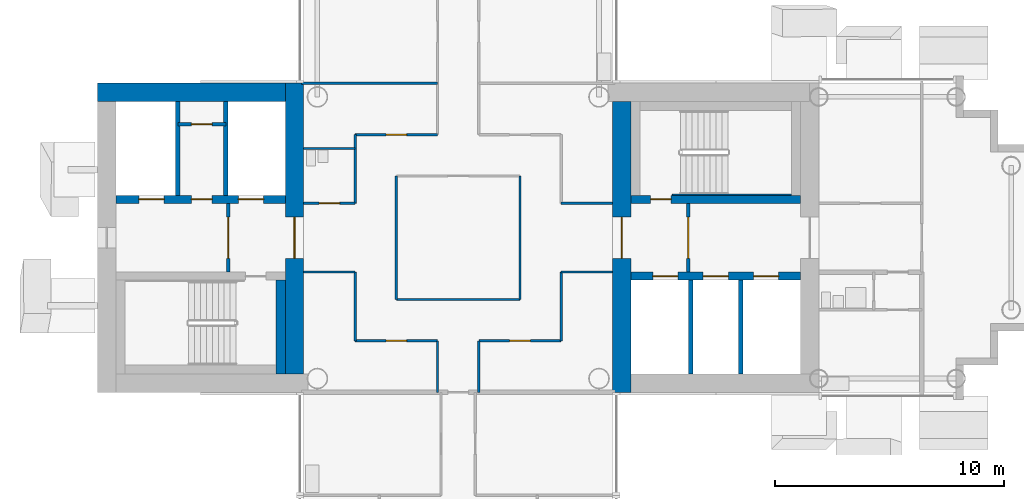
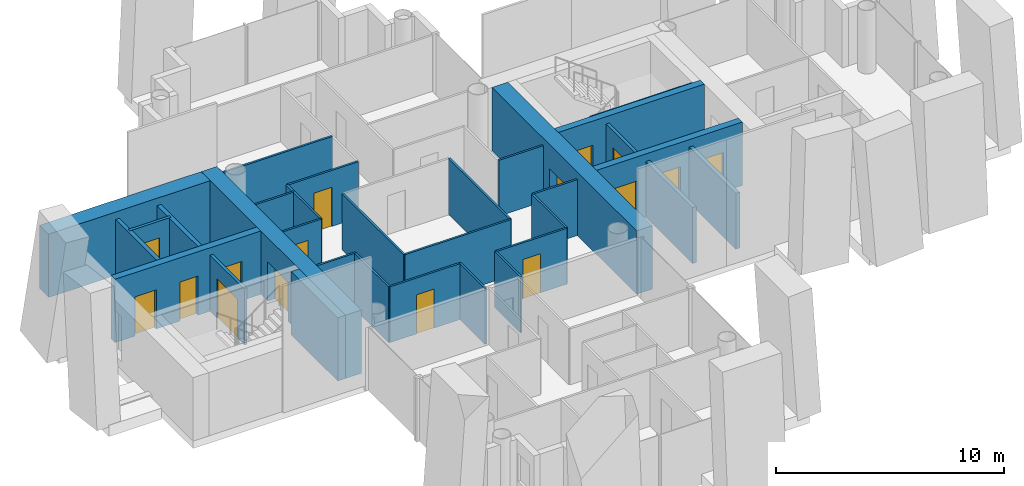
# One storey, part 7 of 19: 32 walls, 16 doors, 16 openings.
"""IFC4 building model written with IfcOpenShell, lengths in metres."""

from ifc_helpers import new_model, si_unit, direction, frame, frame_2d, origin, place, context, subcontext, project, spatial, rectangle, extrude, material, layer, layer_set, type_object, element, fill, save


model = new_model("IFC4")

# Units and contexts
model_context = context("Model", 3, precision=1e-05, world=origin(), true_north=direction((0.0, 1.0)))
body_context = subcontext(model_context, "Body", "Model", "MODEL_VIEW")
ifc_project = project(units=[si_unit("LENGTHUNIT", "METRE"), si_unit("AREAUNIT", "SQUARE_METRE"), si_unit("VOLUMEUNIT", "CUBIC_METRE"), si_unit("PLANEANGLEUNIT", "RADIAN"), si_unit("MASSUNIT", "GRAM", prefix="KILO")], contexts=[model_context])

# Site, building, storey
site_placement = place(None, origin())
site = spatial("IfcSite", under=ifc_project, at=site_placement, CompositionType="ELEMENT")
building_placement = place(site_placement, origin())
building = spatial("IfcBuilding", under=site, at=building_placement, Name="Ipe Terrace Towers", CompositionType="ELEMENT")
storey_placement = place(building_placement, frame((0.0, 0.0, 137.10009765625)))
storey = spatial("IfcBuildingStorey", under=building, at=storey_placement, Name="L37", CompositionType="ELEMENT", Elevation=137.10009765625)

# Walls
ifc_material_1 = material(Name="Gypsum board partition", Category="plasterboard")
ifc_layer_1 = layer(ifc_material_1, 0.10009765625)
ifc_layer_set_1 = layer_set([ifc_layer_1], Name="Gypsum board partition 100 mm")
wall_type_1 = type_object("IfcWallType", Name="Gypsum board partition 100 mm", PredefinedType="PARTITIONING", material=ifc_layer_set_1)
for number, where, z_axis, x_axis, name in (
    (1, (-40.5, -4.5, 0.0), (0.0, 0.0, 1.0), (0.0, 1.0, 0.0), "Gypsum board partition T1 L37 W01"),
    (2, (-40.5, 1.5, 0.0), (0.0, 0.0, 1.0), (0.0, 1.0, 0.0), "Gypsum board partition T1 L37 W02"),
):
    element("IfcWall", number, at=place(storey_placement, frame(where, z_axis=z_axis, x_axis=x_axis)), inside=storey, type_object=wall_type_1, Name=name, PredefinedType="PARTITIONING", context=body_context, shape_type="SweptSolid", body=[
        extrude(rectangle(XDim=3.0, YDim=0.10009765625, at=frame_2d((1.5, 0.0))), origin(), (0.0, 0.0, 1.0), 3.0),
    ])
wall_1_placement = place(storey_placement, frame((-38.699951171875, -2.699951171875, 0.0), z_axis=(0.0, 0.0, 1.0), x_axis=(0.0, 1.0, 0.0)))
element("IfcWall", 3, at=wall_1_placement, inside=storey, type_object=wall_type_1, Name="Gypsum board partition T1 L37 W04", PredefinedType="PARTITIONING", context=body_context, shape_type="SweptSolid", body=[
    extrude(rectangle(XDim=5.39990234375, YDim=0.10009765625, at=frame_2d((2.699951171875, 0.0))), origin(), (0.0, 0.0, 1.0), 3.0),
])
for number, where, z_axis, x_axis, name in (
    (4, (-36.89990234375, -6.75, 0.0), (0.0, 0.0, 1.0), (0.0, 1.0, 0.0), "Gypsum board partition T1 L37 W06"),
    (5, (-35.10009765625, -6.75, 0.0), (0.0, 0.0, 1.0), (0.0, 1.0, 0.0), "Gypsum board partition T1 L37 W11"),
):
    element("IfcWall", number, at=place(storey_placement, frame(where, z_axis=z_axis, x_axis=x_axis)), inside=storey, type_object=wall_type_1, Name=name, PredefinedType="PARTITIONING", context=body_context, shape_type="SweptSolid", body=[
        extrude(rectangle(XDim=2.25, YDim=0.10009765625, at=frame_2d((1.125, 0.0))), origin(), (0.0, 0.0, 1.0), 3.0),
    ])
wall_2_placement = place(storey_placement, frame((-33.300048828125, -2.699951171875, 0.0), z_axis=(0.0, 0.0, 1.0), x_axis=(0.0, 1.0, 0.0)))
element("IfcWall", 6, at=wall_2_placement, inside=storey, type_object=wall_type_1, Name="Gypsum board partition T1 L37 W14", PredefinedType="PARTITIONING", context=body_context, shape_type="SweptSolid", body=[
    extrude(rectangle(XDim=5.39990234375, YDim=0.10009765625, at=frame_2d((2.699951171875, 0.0))), origin(), (0.0, 0.0, 1.0), 3.0),
])
wall_3_placement = place(storey_placement, frame((-31.5, -4.5, 0.0), z_axis=(0.0, 0.0, 1.0), x_axis=(0.0, 1.0, 0.0)))
element("IfcWall", 7, at=wall_3_placement, inside=storey, type_object=wall_type_1, Name="Gypsum board partition T1 L37 W16", PredefinedType="PARTITIONING", context=body_context, shape_type="SweptSolid", body=[
    extrude(rectangle(XDim=3.0, YDim=0.10009765625, at=frame_2d((1.5, 0.0))), origin(), (0.0, 0.0, 1.0), 3.0),
])

# Wall, opening, door
wall_4_placement = place(storey_placement, frame((-40.5, -4.5, 0.0), z_axis=(0.0, 0.0, 1.0), x_axis=(1.0, 0.0, 0.0)))
wall_4 = element("IfcWall", 8, at=wall_4_placement, inside=storey, type_object=wall_type_1, Name="Gypsum board partition T1 L37 W27", PredefinedType="PARTITIONING", context=body_context, shape_type="SweptSolid", body=[
    extrude(rectangle(XDim=3.60009765625, YDim=0.10009765625, at=frame_2d((1.800048828125, 0.0))), origin(), (0.0, 0.0, 1.0), 3.0),
])
opening_1_placement = place(wall_4_placement, frame((1.35009765625, 0.0, 0.0)))
opening_1 = element("IfcOpeningElement", 9, at=opening_1_placement, cuts=wall_4, Name="Opening T1-Z3A-05", PredefinedType="OPENING", context=body_context, shape_type="SweptSolid", body=[
    extrude(rectangle(XDim=0.89990234375, YDim=2.10009765625, at=frame_2d((0.449951171875, 1.050048828125))), frame((0.0, 0.06005859375, 0.0), z_axis=(0.0, -1.0, 0.0), x_axis=(1.0, 0.0, 0.0)), (0.0, 0.0, 1.0), 0.1201171875),
])
ifc_material_2 = material(Name="Timber door leaf", Category="wood")
door_type_1 = type_object("IfcDoorType", Name="Lounge door 900 x 2100", OperationType="NOTDEFINED", PredefinedType="DOOR", material=ifc_material_2)
door_1_placement = place(opening_1_placement, origin())
door_1 = element("IfcDoor", 10, at=door_1_placement, inside=storey, type_object=door_type_1, Name="Lounge door T1-Z3A-05", OperationType="SINGLE_SWING_RIGHT", OverallHeight=2.10009765625, OverallWidth=0.89990234375, PredefinedType="DOOR", context=body_context, shape_type="SweptSolid", body=[
    extrude(rectangle(XDim=0.89990234375, YDim=2.10009765625, at=frame_2d((0.449951171875, 1.050048828125))), frame((0.0, 0.02490234375, 0.0), z_axis=(0.0, -1.0, 0.0), x_axis=(1.0, 0.0, 0.0)), (0.0, 0.0, 1.0), 0.050048828125),
])
fill(opening_1, door_1)

wall_5_placement = place(storey_placement, frame((-35.10009765625, -4.5, 0.0), z_axis=(0.0, 0.0, 1.0), x_axis=(1.0, 0.0, 0.0)))
wall_5 = element("IfcWall", 11, at=wall_5_placement, inside=storey, type_object=wall_type_1, Name="Gypsum board partition T1 L37 W28", PredefinedType="PARTITIONING", context=body_context, shape_type="SweptSolid", body=[
    extrude(rectangle(XDim=3.60009765625, YDim=0.10009765625, at=frame_2d((1.800048828125, 0.0))), origin(), (0.0, 0.0, 1.0), 3.0),
])
opening_2_placement = place(wall_5_placement, frame((1.35009765625, 0.0, 0.0)))
opening_2 = element("IfcOpeningElement", 12, at=opening_2_placement, cuts=wall_5, Name="Opening T1-Z3A-06", PredefinedType="OPENING", context=body_context, shape_type="SweptSolid", body=[
    extrude(rectangle(XDim=0.89990234375, YDim=2.10009765625, at=frame_2d((0.449951171875, 1.050048828125))), frame((0.0, 0.06005859375, 0.0), z_axis=(0.0, -1.0, 0.0), x_axis=(1.0, 0.0, 0.0)), (0.0, 0.0, 1.0), 0.1201171875),
])
door_2_placement = place(opening_2_placement, origin())
door_2 = element("IfcDoor", 13, at=door_2_placement, inside=storey, type_object=door_type_1, Name="Lounge door T1-Z3A-06", OperationType="SINGLE_SWING_LEFT", OverallHeight=2.10009765625, OverallWidth=0.89990234375, PredefinedType="DOOR", context=body_context, shape_type="SweptSolid", body=[
    extrude(rectangle(XDim=0.89990234375, YDim=2.10009765625, at=frame_2d((0.449951171875, 1.050048828125))), frame((0.0, 0.02490234375, 0.0), z_axis=(0.0, -1.0, 0.0), x_axis=(1.0, 0.0, 0.0)), (0.0, 0.0, 1.0), 0.050048828125),
])
fill(opening_2, door_2)

# Walls
wall_6_placement = place(storey_placement, frame((-38.699951171875, -2.699951171875, 0.0), z_axis=(0.0, 0.0, 1.0), x_axis=(1.0, 0.0, 0.0)))
element("IfcWall", 14, at=wall_6_placement, inside=storey, type_object=wall_type_1, Name="Gypsum board partition T1 L37 W30", PredefinedType="PARTITIONING", context=body_context, shape_type="SweptSolid", body=[
    extrude(rectangle(XDim=5.39990234375, YDim=0.10009765625, at=frame_2d((2.699951171875, 0.0))), origin(), (0.0, 0.0, 1.0), 3.0),
])
for number, where, z_axis, x_axis, name in (
    (15, (-42.75, -1.5, 0.0), (0.0, 0.0, 1.0), (1.0, 0.0, 0.0), "Gypsum board partition T1 L37 W31"),
    (16, (-31.5, -1.5, 0.0), (0.0, 0.0, 1.0), (1.0, 0.0, 0.0), "Gypsum board partition T1 L37 W32"),
):
    element("IfcWall", number, at=place(storey_placement, frame(where, z_axis=z_axis, x_axis=x_axis)), inside=storey, type_object=wall_type_1, Name=name, PredefinedType="PARTITIONING", context=body_context, shape_type="SweptSolid", body=[
        extrude(rectangle(XDim=2.25, YDim=0.10009765625, at=frame_2d((1.125, 0.0))), origin(), (0.0, 0.0, 1.0), 3.0),
    ])

# Wall, opening, door
wall_7_placement = place(storey_placement, frame((-42.75, 1.5, 0.0), z_axis=(0.0, 0.0, 1.0), x_axis=(1.0, 0.0, 0.0)))
wall_7 = element("IfcWall", 17, at=wall_7_placement, inside=storey, type_object=wall_type_1, Name="Gypsum board partition T1 L37 W34", PredefinedType="PARTITIONING", context=body_context, shape_type="SweptSolid", body=[
    extrude(rectangle(XDim=2.25, YDim=0.10009765625, at=frame_2d((1.125, 0.0))), origin(), (0.0, 0.0, 1.0), 3.0),
])
opening_3_placement = place(wall_7_placement, frame((0.675048828125, 0.0, 0.0)))
opening_3 = element("IfcOpeningElement", 18, at=opening_3_placement, cuts=wall_7, Name="Opening T1-Z3A-02", PredefinedType="OPENING", context=body_context, shape_type="SweptSolid", body=[
    extrude(rectangle(XDim=0.89990234375, YDim=2.10009765625, at=frame_2d((0.449951171875, 1.050048828125))), frame((0.0, 0.06005859375, 0.0), z_axis=(0.0, -1.0, 0.0), x_axis=(1.0, 0.0, 0.0)), (0.0, 0.0, 1.0), 0.1201171875),
])
ifc_material_3 = material(Name="Timber door leaf", Category="wood")
door_type_2 = type_object("IfcDoorType", Name="Bathroom door 900 x 2100", OperationType="NOTDEFINED", PredefinedType="DOOR", material=ifc_material_3)
door_3_placement = place(opening_3_placement, origin())
door_3 = element("IfcDoor", 19, at=door_3_placement, inside=storey, type_object=door_type_2, Name="Bathroom door T1-Z3A-02", OperationType="SINGLE_SWING_LEFT", OverallHeight=2.10009765625, OverallWidth=0.89990234375, PredefinedType="DOOR", context=body_context, shape_type="SweptSolid", body=[
    extrude(rectangle(XDim=0.89990234375, YDim=2.10009765625, at=frame_2d((0.449951171875, 1.050048828125))), frame((0.0, 0.02490234375, 0.0), z_axis=(0.0, -1.0, 0.0), x_axis=(1.0, 0.0, 0.0)), (0.0, 0.0, 1.0), 0.050048828125),
])
fill(opening_3, door_3)

# Walls
for number, where, z_axis, x_axis, name in (
    (20, (-31.5, 1.5, 0.0), (0.0, 0.0, 1.0), (1.0, 0.0, 0.0), "Gypsum board partition T1 L37 W35"),
    (21, (-42.75, 3.89990234375, 0.0), (0.0, 0.0, 1.0), (1.0, 0.0, 0.0), "Gypsum board partition T1 L37 W38"),
):
    element("IfcWall", number, at=place(storey_placement, frame(where, z_axis=z_axis, x_axis=x_axis)), inside=storey, type_object=wall_type_1, Name=name, PredefinedType="PARTITIONING", context=body_context, shape_type="SweptSolid", body=[
        extrude(rectangle(XDim=2.25, YDim=0.10009765625, at=frame_2d((1.125, 0.0))), origin(), (0.0, 0.0, 1.0), 3.0),
    ])

# Wall, opening, door
wall_8_placement = place(storey_placement, frame((-40.5, 4.5, 0.0), z_axis=(0.0, 0.0, 1.0), x_axis=(1.0, 0.0, 0.0)))
wall_8 = element("IfcWall", 22, at=wall_8_placement, inside=storey, type_object=wall_type_1, Name="Gypsum board partition T1 L37 W39", PredefinedType="PARTITIONING", context=body_context, shape_type="SweptSolid", body=[
    extrude(rectangle(XDim=3.60009765625, YDim=0.10009765625, at=frame_2d((1.800048828125, 0.0))), origin(), (0.0, 0.0, 1.0), 3.0),
])
opening_4_placement = place(wall_8_placement, frame((1.35009765625, 0.0, 0.0)))
opening_4 = element("IfcOpeningElement", 23, at=opening_4_placement, cuts=wall_8, Name="Opening T1-Z3A-04", PredefinedType="OPENING", context=body_context, shape_type="SweptSolid", body=[
    extrude(rectangle(XDim=0.89990234375, YDim=2.10009765625, at=frame_2d((0.449951171875, 1.050048828125))), frame((0.0, 0.06005859375, 0.0), z_axis=(0.0, -1.0, 0.0), x_axis=(1.0, 0.0, 0.0)), (0.0, 0.0, 1.0), 0.1201171875),
])
door_4_placement = place(opening_4_placement, origin())
door_4 = element("IfcDoor", 24, at=door_4_placement, inside=storey, type_object=door_type_1, Name="Lounge door T1-Z3A-04", OperationType="SINGLE_SWING_RIGHT", OverallHeight=2.10009765625, OverallWidth=0.89990234375, PredefinedType="DOOR", context=body_context, shape_type="SweptSolid", body=[
    extrude(rectangle(XDim=0.89990234375, YDim=2.10009765625, at=frame_2d((0.449951171875, 1.050048828125))), frame((0.0, 0.02490234375, 0.0), z_axis=(0.0, -1.0, 0.0), x_axis=(1.0, 0.0, 0.0)), (0.0, 0.0, 1.0), 0.050048828125),
])
fill(opening_4, door_4)

# Wall
wall_9_placement = place(storey_placement, frame((-42.85009765625, 6.75, 0.0), z_axis=(0.0, 0.0, 1.0), x_axis=(1.0, 0.0, 0.0)))
element("IfcWall", 25, at=wall_9_placement, inside=storey, type_object=wall_type_1, Name="Gypsum board partition T1 L37 W41", PredefinedType="PARTITIONING", context=body_context, shape_type="SweptSolid", body=[
    extrude(rectangle(XDim=5.9501953125, YDim=0.10009765625, at=frame_2d((2.97509765625, 0.0))), origin(), (0.0, 0.0, 1.0), 3.0),
])

# Wall, opening, door
ifc_material_4 = material(Name="Gypsum board partition", Category="plasterboard")
ifc_layer_2 = layer(ifc_material_4, 0.14990234375)
ifc_layer_set_2 = layer_set([ifc_layer_2], Name="Gypsum board partition 150 mm")
wall_type_2 = type_object("IfcWallType", Name="Gypsum board partition 150 mm", PredefinedType="PARTITIONING", material=ifc_layer_set_2)
wall_10_placement = place(storey_placement, frame((-25.949951171875, -1.5, 0.0), z_axis=(0.0, 0.0, 1.0), x_axis=(0.0, 1.0, 0.0)))
wall_10 = element("IfcWall", 26, at=wall_10_placement, inside=storey, type_object=wall_type_2, Name="Gypsum board partition T1 L37 t1c1-lobby-wall", PredefinedType="PARTITIONING", context=body_context, shape_type="SweptSolid", body=[
    extrude(rectangle(XDim=3.0, YDim=0.14990234375, at=frame_2d((1.5, 0.0))), origin(), (0.0, 0.0, 1.0), 3.0),
])
opening_5_placement = place(wall_10_placement, frame((0.60009765625, 0.0, 0.0)))
opening_5 = element("IfcOpeningElement", 27, at=opening_5_placement, cuts=wall_10, Name="Opening T1C1-VD", PredefinedType="OPENING", context=body_context, shape_type="SweptSolid", body=[
    extrude(rectangle(XDim=1.800048828125, YDim=2.10009765625, at=frame_2d((0.89990234375, 1.050048828125))), frame((0.0, 0.0849609375, 0.0), z_axis=(0.0, -1.0, 0.0), x_axis=(1.0, 0.0, 0.0)), (0.0, 0.0, 1.0), 0.169921875),
])
ifc_material_5 = material(Name="Fire-rated timber door leaf", Category="wood")
door_type_3 = type_object("IfcDoorType", Name="Lobby door 1800 x 2100 FD60", OperationType="NOTDEFINED", PredefinedType="DOOR", material=ifc_material_5)
door_5_placement = place(opening_5_placement, origin())
door_5 = element("IfcDoor", 28, at=door_5_placement, inside=storey, type_object=door_type_3, Name="Lobby door T1C1-VD", OperationType="SINGLE_SWING_LEFT", OverallHeight=2.10009765625, OverallWidth=1.800048828125, PredefinedType="DOOR", context=body_context, shape_type="SweptSolid", body=[
    extrude(rectangle(XDim=1.800048828125, YDim=2.10009765625, at=frame_2d((0.89990234375, 1.050048828125))), frame((0.0, 0.02490234375, 0.0), z_axis=(0.0, -1.0, 0.0), x_axis=(1.0, 0.0, 0.0)), (0.0, 0.0, 1.0), 0.050048828125),
])
fill(opening_5, door_5)

wall_11_placement = place(storey_placement, frame((-46.050048828125, 1.5, 0.0), z_axis=(0.0, 0.0, 1.0), x_axis=(0.0, -1.0, 0.0)))
wall_11 = element("IfcWall", 29, at=wall_11_placement, inside=storey, type_object=wall_type_2, Name="Gypsum board partition T1 L37 t1c2-lobby-wall", PredefinedType="PARTITIONING", context=body_context, shape_type="SweptSolid", body=[
    extrude(rectangle(XDim=3.0, YDim=0.14990234375, at=frame_2d((1.5, 0.0))), origin(), (0.0, 0.0, 1.0), 3.0),
])
opening_6_placement = place(wall_11_placement, frame((0.60009765625, 0.0, 0.0)))
opening_6 = element("IfcOpeningElement", 30, at=opening_6_placement, cuts=wall_11, Name="Opening T1C2-VD", PredefinedType="OPENING", context=body_context, shape_type="SweptSolid", body=[
    extrude(rectangle(XDim=1.800048828125, YDim=2.10009765625, at=frame_2d((0.89990234375, 1.050048828125))), frame((0.0, 0.0849609375, 0.0), z_axis=(0.0, -1.0, 0.0), x_axis=(1.0, 0.0, 0.0)), (0.0, 0.0, 1.0), 0.169921875),
])
door_6_placement = place(opening_6_placement, origin())
door_6 = element("IfcDoor", 31, at=door_6_placement, inside=storey, type_object=door_type_3, Name="Lobby door T1C2-VD", OperationType="SINGLE_SWING_LEFT", OverallHeight=2.10009765625, OverallWidth=1.800048828125, PredefinedType="DOOR", context=body_context, shape_type="SweptSolid", body=[
    extrude(rectangle(XDim=1.800048828125, YDim=2.10009765625, at=frame_2d((0.89990234375, 1.050048828125))), frame((0.0, 0.02490234375, 0.0), z_axis=(0.0, -1.0, 0.0), x_axis=(1.0, 0.0, 0.0)), (0.0, 0.0, 1.0), 0.050048828125),
])
fill(opening_6, door_6)

wall_12_placement = place(storey_placement, frame((-46.14990234375, 4.949951171875, 0.0), z_axis=(0.0, 0.0, 1.0), x_axis=(-1.0, 0.0, 0.0)))
wall_12 = element("IfcWall", 32, at=wall_12_placement, inside=storey, type_object=wall_type_2, Name="Gypsum board partition T1 L37 t1c2-q-back", PredefinedType="PARTITIONING", context=body_context, shape_type="SweptSolid", body=[
    extrude(rectangle(XDim=2.10009765625, YDim=0.14990234375, at=frame_2d((1.050048828125, 0.0))), origin(), (0.0, 0.0, 1.0), 3.0),
])
opening_7_placement = place(wall_12_placement, frame((0.60009765625, 0.0, 0.0)))
opening_7 = element("IfcOpeningElement", 33, at=opening_7_placement, cuts=wall_12, Name="Opening T1C2-RB", PredefinedType="OPENING", context=body_context, shape_type="SweptSolid", body=[
    extrude(rectangle(XDim=0.89990234375, YDim=2.10009765625, at=frame_2d((0.449951171875, 1.050048828125))), frame((0.0, 0.0849609375, 0.0), z_axis=(0.0, -1.0, 0.0), x_axis=(1.0, 0.0, 0.0)), (0.0, 0.0, 1.0), 0.169921875),
])
ifc_material_6 = material(Name="Fire-rated timber door leaf", Category="wood")
door_type_4 = type_object("IfcDoorType", Name="Service door 900 x 2100 FD60", OperationType="NOTDEFINED", PredefinedType="DOOR", material=ifc_material_6)
door_7_placement = place(opening_7_placement, origin())
door_7 = element("IfcDoor", 34, at=door_7_placement, inside=storey, type_object=door_type_4, Name="Service door T1C2-RB", OperationType="SINGLE_SWING_LEFT", OverallHeight=2.10009765625, OverallWidth=0.89990234375, PredefinedType="DOOR", context=body_context, shape_type="SweptSolid", body=[
    extrude(rectangle(XDim=0.89990234375, YDim=2.10009765625, at=frame_2d((0.449951171875, 1.050048828125))), frame((0.0, 0.02490234375, 0.0), z_axis=(0.0, -1.0, 0.0), x_axis=(1.0, 0.0, 0.0)), (0.0, 0.0, 1.0), 0.050048828125),
])
fill(opening_7, door_7)

# Walls
ifc_material_7 = material(Name="Gypsum board party wall", Category="plasterboard")
ifc_layer_3 = layer(ifc_material_7, 0.199951171875)
ifc_layer_set_3 = layer_set([ifc_layer_3], Name="Gypsum board party wall 200 mm")
wall_type_3 = type_object("IfcWallType", Name="Gypsum board party wall 200 mm", PredefinedType="SOLIDWALL", material=ifc_layer_set_3)
for number, where, z_axis, x_axis, name in (
    (35, (-25.85009765625, -5.949951171875, 0.0), (0.0, 0.0, 1.0), (0.0, 1.0, 0.0), "Gypsum board party wall T1 L37 t1c1-shaft-div1"),
    (36, (-23.64990234375, -5.949951171875, 0.0), (0.0, 0.0, 1.0), (0.0, 1.0, 0.0), "Gypsum board party wall T1 L37 t1c1-shaft-div2"),
    (37, (-48.25, 5.949951171875, 0.0), (0.0, 0.0, 1.0), (0.0, -1.0, 0.0), "Gypsum board party wall T1 L37 t1c2-shaft-div2"),
    (38, (-46.14990234375, 5.949951171875, 0.0), (0.0, 0.0, 1.0), (0.0, -1.0, 0.0), "Gypsum board party wall T1 L37 t1c2-shaft-div1"),
):
    element("IfcWall", number, at=place(storey_placement, frame(where, z_axis=z_axis, x_axis=x_axis)), inside=storey, type_object=wall_type_3, Name=name, PredefinedType="SOLIDWALL", context=body_context, shape_type="SweptSolid", body=[
        extrude(rectangle(XDim=4.099853515625, YDim=0.199951171875, at=frame_2d((2.0498046875, 0.0))), origin(), (0.0, 0.0, 1.0), 3.0),
    ])

# Wall, openings, doors
ifc_material_8 = material(Name="Concrete C50/60", Category="concrete")
ifc_layer_4 = layer(ifc_material_8, 0.35009765625)
ifc_layer_set_4 = layer_set([ifc_layer_4], Name="RW350 CORE SPINE WALL 350 C50-60")
wall_type_4 = type_object("IfcWallType", Name="RW350 CORE SPINE WALL 350 C50-60", PredefinedType="SHEAR", material=ifc_layer_set_4)
wall_13_placement = place(storey_placement, frame((-28.449951171875, -1.675048828125, 0.0), z_axis=(0.0, 0.0, 1.0), x_axis=(1.0, 0.0, 0.0)))
wall_13 = element("IfcWall", 39, at=wall_13_placement, inside=storey, type_object=wall_type_4, Name="Core spine wall T1-C1-Z3-SW1", PredefinedType="SHEAR", context=body_context, shape_type="SweptSolid", body=[
    extrude(rectangle(XDim=7.39990234375, YDim=0.35009765625, at=frame_2d((3.699951171875, 0.0))), origin(), (0.0, 0.0, 1.0), 3.39990234375),
])
opening_8_placement = place(wall_13_placement, frame((0.949951171875, 0.0, 0.0)))
opening_8 = element("IfcOpeningElement", 40, at=opening_8_placement, cuts=wall_13, Name="Opening T1C1-LD1", PredefinedType="OPENING", context=body_context, shape_type="SweptSolid", body=[
    extrude(rectangle(XDim=1.10009765625, YDim=2.10009765625, at=frame_2d((0.550048828125, 1.050048828125))), frame((0.0, 0.18505859375, 0.0), z_axis=(0.0, -1.0, 0.0), x_axis=(1.0, 0.0, 0.0)), (0.0, 0.0, 1.0), 0.3701171875),
])
opening_9_placement = place(wall_13_placement, frame((3.14990234375, 0.0, 0.0)))
opening_9 = element("IfcOpeningElement", 41, at=opening_9_placement, cuts=wall_13, Name="Opening T1C1-LD2", PredefinedType="OPENING", context=body_context, shape_type="SweptSolid", body=[
    extrude(rectangle(XDim=1.10009765625, YDim=2.10009765625, at=frame_2d((0.550048828125, 1.050048828125))), frame((0.0, 0.18505859375, 0.0), z_axis=(0.0, -1.0, 0.0), x_axis=(1.0, 0.0, 0.0)), (0.0, 0.0, 1.0), 0.3701171875),
])
opening_10_placement = place(wall_13_placement, frame((5.35009765625, 0.0, 0.0)))
opening_10 = element("IfcOpeningElement", 42, at=opening_10_placement, cuts=wall_13, Name="Opening T1C1-LD3", PredefinedType="OPENING", context=body_context, shape_type="SweptSolid", body=[
    extrude(rectangle(XDim=1.10009765625, YDim=2.10009765625, at=frame_2d((0.550048828125, 1.050048828125))), frame((0.0, 0.18505859375, 0.0), z_axis=(0.0, -1.0, 0.0), x_axis=(1.0, 0.0, 0.0)), (0.0, 0.0, 1.0), 0.3701171875),
])
ifc_material_9 = material(Name="Fire-rated timber door leaf", Category="wood")
door_type_5 = type_object("IfcDoorType", Name="Sliding door 1100 x 2100 FD60", OperationType="SLIDING_TO_LEFT", PredefinedType="DOOR", material=ifc_material_9)
door_8_placement = place(opening_8_placement, origin())
door_8 = element("IfcDoor", 43, at=door_8_placement, inside=storey, type_object=door_type_5, Name="Sliding door T1C1-LD1", OperationType="SLIDING_TO_LEFT", OverallHeight=2.10009765625, OverallWidth=1.10009765625, PredefinedType="DOOR", context=body_context, shape_type="SweptSolid", body=[
    extrude(rectangle(XDim=1.10009765625, YDim=2.10009765625, at=frame_2d((0.550048828125, 1.050048828125))), frame((0.0, 0.02490234375, 0.0), z_axis=(0.0, -1.0, 0.0), x_axis=(1.0, 0.0, 0.0)), (0.0, 0.0, 1.0), 0.050048828125),
])
fill(opening_8, door_8)
door_9_placement = place(opening_9_placement, origin())
door_9 = element("IfcDoor", 44, at=door_9_placement, inside=storey, type_object=door_type_5, Name="Sliding door T1C1-LD2", OperationType="SLIDING_TO_LEFT", OverallHeight=2.10009765625, OverallWidth=1.10009765625, PredefinedType="DOOR", context=body_context, shape_type="SweptSolid", body=[
    extrude(rectangle(XDim=1.10009765625, YDim=2.10009765625, at=frame_2d((0.550048828125, 1.050048828125))), frame((0.0, 0.02490234375, 0.0), z_axis=(0.0, -1.0, 0.0), x_axis=(1.0, 0.0, 0.0)), (0.0, 0.0, 1.0), 0.050048828125),
])
fill(opening_9, door_9)
door_10_placement = place(opening_10_placement, origin())
door_10 = element("IfcDoor", 45, at=door_10_placement, inside=storey, type_object=door_type_5, Name="Sliding door T1C1-LD3", OperationType="SLIDING_TO_LEFT", OverallHeight=2.10009765625, OverallWidth=1.10009765625, PredefinedType="DOOR", context=body_context, shape_type="SweptSolid", body=[
    extrude(rectangle(XDim=1.10009765625, YDim=2.10009765625, at=frame_2d((0.550048828125, 1.050048828125))), frame((0.0, 0.02490234375, 0.0), z_axis=(0.0, -1.0, 0.0), x_axis=(1.0, 0.0, 0.0)), (0.0, 0.0, 1.0), 0.050048828125),
])
fill(opening_10, door_10)

# Wall, opening, door
wall_14_placement = place(storey_placement, frame((-28.449951171875, 1.675048828125, 0.0), z_axis=(0.0, 0.0, 1.0), x_axis=(1.0, 0.0, 0.0)))
wall_14 = element("IfcWall", 46, at=wall_14_placement, inside=storey, type_object=wall_type_4, Name="Core spine wall T1-C1-Z3-SW2", PredefinedType="SHEAR", context=body_context, shape_type="SweptSolid", body=[
    extrude(rectangle(XDim=7.39990234375, YDim=0.35009765625, at=frame_2d((3.699951171875, 0.0))), origin(), (0.0, 0.0, 1.0), 3.39990234375),
])
opening_11_placement = place(wall_14_placement, frame((0.85009765625, 0.0, 0.0)))
opening_11 = element("IfcOpeningElement", 47, at=opening_11_placement, cuts=wall_14, Name="Opening T1C1-SD", PredefinedType="OPENING", context=body_context, shape_type="SweptSolid", body=[
    extrude(rectangle(XDim=0.89990234375, YDim=2.10009765625, at=frame_2d((0.449951171875, 1.050048828125))), frame((0.0, 0.18505859375, 0.0), z_axis=(0.0, -1.0, 0.0), x_axis=(1.0, 0.0, 0.0)), (0.0, 0.0, 1.0), 0.3701171875),
])
ifc_material_10 = material(Name="Fire-rated timber door leaf", Category="wood")
door_type_6 = type_object("IfcDoorType", Name="Stair door 900 x 2100 FD60", OperationType="NOTDEFINED", PredefinedType="DOOR", material=ifc_material_10)
door_11_placement = place(opening_11_placement, origin())
door_11 = element("IfcDoor", 48, at=door_11_placement, inside=storey, type_object=door_type_6, Name="Stair door T1C1-SD", OperationType="SINGLE_SWING_LEFT", OverallHeight=2.10009765625, OverallWidth=0.89990234375, PredefinedType="DOOR", context=body_context, shape_type="SweptSolid", body=[
    extrude(rectangle(XDim=0.89990234375, YDim=2.10009765625, at=frame_2d((0.449951171875, 1.050048828125))), frame((0.0, 0.02490234375, 0.0), z_axis=(0.0, -1.0, 0.0), x_axis=(1.0, 0.0, 0.0)), (0.0, 0.0, 1.0), 0.050048828125),
])
fill(opening_11, door_11)

# Wall, openings, doors
wall_15_placement = place(storey_placement, frame((-50.949951171875, 1.675048828125, 0.0), z_axis=(0.0, 0.0, 1.0), x_axis=(1.0, 0.0, 0.0)))
wall_15 = element("IfcWall", 49, at=wall_15_placement, inside=storey, type_object=wall_type_4, Name="Core spine wall T1-C2-Z3-SW2", PredefinedType="SHEAR", context=body_context, shape_type="SweptSolid", body=[
    extrude(rectangle(XDim=7.39990234375, YDim=0.35009765625, at=frame_2d((3.699951171875, 0.0))), origin(), (0.0, 0.0, 1.0), 3.39990234375),
])
opening_12_placement = place(wall_15_placement, frame((5.35009765625, 0.0, 0.0)))
opening_12 = element("IfcOpeningElement", 50, at=opening_12_placement, cuts=wall_15, Name="Opening T1C2-LD1", PredefinedType="OPENING", context=body_context, shape_type="SweptSolid", body=[
    extrude(rectangle(XDim=1.10009765625, YDim=2.10009765625, at=frame_2d((0.550048828125, 1.050048828125))), frame((0.0, 0.18505859375, 0.0), z_axis=(0.0, -1.0, 0.0), x_axis=(1.0, 0.0, 0.0)), (0.0, 0.0, 1.0), 0.3701171875),
])
opening_13_placement = place(wall_15_placement, frame((1.0, 0.0, 0.0)))
opening_13 = element("IfcOpeningElement", 51, at=opening_13_placement, cuts=wall_15, Name="Opening T1C2-LD3", PredefinedType="OPENING", context=body_context, shape_type="SweptSolid", body=[
    extrude(rectangle(XDim=1.10009765625, YDim=2.10009765625, at=frame_2d((0.550048828125, 1.050048828125))), frame((0.0, 0.18505859375, 0.0), z_axis=(0.0, -1.0, 0.0), x_axis=(1.0, 0.0, 0.0)), (0.0, 0.0, 1.0), 0.3701171875),
])
opening_14_placement = place(wall_15_placement, frame((3.300048828125, 0.0, 0.0)))
opening_14 = element("IfcOpeningElement", 52, at=opening_14_placement, cuts=wall_15, Name="Opening T1C2-R1", PredefinedType="OPENING", context=body_context, shape_type="SweptSolid", body=[
    extrude(rectangle(XDim=0.89990234375, YDim=2.10009765625, at=frame_2d((0.449951171875, 1.050048828125))), frame((0.0, 0.18505859375, 0.0), z_axis=(0.0, -1.0, 0.0), x_axis=(1.0, 0.0, 0.0)), (0.0, 0.0, 1.0), 0.3701171875),
])
door_12_placement = place(opening_12_placement, origin())
door_12 = element("IfcDoor", 53, at=door_12_placement, inside=storey, type_object=door_type_5, Name="Sliding door T1C2-LD1", OperationType="SLIDING_TO_LEFT", OverallHeight=2.10009765625, OverallWidth=1.10009765625, PredefinedType="DOOR", context=body_context, shape_type="SweptSolid", body=[
    extrude(rectangle(XDim=1.10009765625, YDim=2.10009765625, at=frame_2d((0.550048828125, 1.050048828125))), frame((0.0, 0.02490234375, 0.0), z_axis=(0.0, -1.0, 0.0), x_axis=(1.0, 0.0, 0.0)), (0.0, 0.0, 1.0), 0.050048828125),
])
fill(opening_12, door_12)
door_13_placement = place(opening_13_placement, origin())
door_13 = element("IfcDoor", 54, at=door_13_placement, inside=storey, type_object=door_type_5, Name="Sliding door T1C2-LD3", OperationType="SLIDING_TO_LEFT", OverallHeight=2.10009765625, OverallWidth=1.10009765625, PredefinedType="DOOR", context=body_context, shape_type="SweptSolid", body=[
    extrude(rectangle(XDim=1.10009765625, YDim=2.10009765625, at=frame_2d((0.550048828125, 1.050048828125))), frame((0.0, 0.02490234375, 0.0), z_axis=(0.0, -1.0, 0.0), x_axis=(1.0, 0.0, 0.0)), (0.0, 0.0, 1.0), 0.050048828125),
])
fill(opening_13, door_13)
ifc_material_11 = material(Name="Fire-rated timber door leaf", Category="wood")
door_type_7 = type_object("IfcDoorType", Name="Store door 900 x 2100 FD30S", OperationType="NOTDEFINED", PredefinedType="DOOR", material=ifc_material_11)
door_14_placement = place(opening_14_placement, origin())
door_14 = element("IfcDoor", 55, at=door_14_placement, inside=storey, type_object=door_type_7, Name="Store door T1C2-R1", OperationType="SINGLE_SWING_LEFT", OverallHeight=2.10009765625, OverallWidth=0.89990234375, PredefinedType="DOOR", context=body_context, shape_type="SweptSolid", body=[
    extrude(rectangle(XDim=0.89990234375, YDim=2.10009765625, at=frame_2d((0.449951171875, 1.050048828125))), frame((0.0, 0.02490234375, 0.0), z_axis=(0.0, -1.0, 0.0), x_axis=(1.0, 0.0, 0.0)), (0.0, 0.0, 1.0), 0.050048828125),
])
fill(opening_14, door_14)

# Walls
ifc_material_12 = material(Name="Concrete C50/60", Category="concrete")
ifc_layer_5 = layer(ifc_material_12, 0.39990234375)
ifc_layer_set_5 = layer_set([ifc_layer_5], Name="RW400 CORE INFILL WALL 400 C50-60")
wall_type_5 = type_object("IfcWallType", Name="RW400 CORE INFILL WALL 400 C50-60", PredefinedType="SHEAR", material=ifc_layer_set_5)
wall_16_placement = place(storey_placement, frame((-43.75, -1.85009765625, 0.0), z_axis=(0.0, 0.0, 1.0), x_axis=(0.0, -1.0, 0.0)))
element("IfcWall", 56, at=wall_16_placement, inside=storey, type_object=wall_type_5, Name="Core infill wall T1-C2-near", PredefinedType="SHEAR", context=body_context, shape_type="SweptSolid", body=[
    extrude(rectangle(XDim=4.099853515625, YDim=0.39990234375, at=frame_2d((2.0498046875, 0.0))), origin(), (0.0, 0.0, 1.0), 3.39990234375),
])
ifc_material_13 = material(Name="Concrete C50/60", Category="concrete")
ifc_layer_6 = layer(ifc_material_13, 0.050048828125)
ifc_layer_set_6 = layer_set([ifc_layer_6], Name="RW50 CORE INFILL WALL 50 C50-60")
wall_type_6 = type_object("IfcWallType", Name="RW50 CORE INFILL WALL 50 C50-60", PredefinedType="SHEAR", material=ifc_layer_set_6)
wall_17_placement = place(storey_placement, frame((-26.64990234375, 1.875, 0.0), z_axis=(0.0, 0.0, 1.0), x_axis=(1.0, 0.0, 0.0)))
element("IfcWall", 57, at=wall_17_placement, inside=storey, type_object=wall_type_6, Name="Core infill wall T1-C1-spine-b", PredefinedType="SHEAR", context=body_context, shape_type="SweptSolid", body=[
    extrude(rectangle(XDim=5.199951171875, YDim=0.050048828125, at=frame_2d((2.60009765625, 0.0))), origin(), (0.0, 0.0, 1.0), 3.39990234375),
])

# Wall, opening, door
ifc_material_14 = material(Name="Concrete C50/60", Category="concrete")
ifc_layer_7 = layer(ifc_material_14, 0.800048828125)
ifc_layer_set_7 = layer_set([ifc_layer_7], Name="RW800 CORE WALL 800 C50-60")
wall_type_7 = type_object("IfcWallType", Name="RW800 CORE WALL 800 C50-60", PredefinedType="SHEAR", material=ifc_layer_set_7)
wall_18_placement = place(storey_placement, frame((-28.85009765625, 5.949951171875, 0.0), z_axis=(0.0, 0.0, 1.0), x_axis=(0.0, -1.0, 0.0)))
wall_18 = element("IfcWall", 58, at=wall_18_placement, inside=storey, type_object=wall_type_7, Name="Core wall T1-C1-Z3-W04", PredefinedType="SHEAR", context=body_context, shape_type="SweptSolid", body=[
    extrude(rectangle(XDim=12.699951171875, YDim=0.800048828125, at=frame_2d((6.35009765625, 0.0))), origin(), (0.0, 0.0, 1.0), 3.39990234375),
])
opening_15_placement = place(wall_18_placement, frame((5.050048828125, 0.0, 0.0)))
opening_15 = element("IfcOpeningElement", 59, at=opening_15_placement, cuts=wall_18, Name="Opening T1C1-ND", PredefinedType="OPENING", context=body_context, shape_type="SweptSolid", body=[
    extrude(rectangle(XDim=1.800048828125, YDim=2.10009765625, at=frame_2d((0.89990234375, 1.050048828125))), frame((0.0, 0.41015625, 0.0), z_axis=(0.0, -1.0, 0.0), x_axis=(1.0, 0.0, 0.0)), (0.0, 0.0, 1.0), 0.820068359375),
])
ifc_material_15 = material(Name="Fire-rated timber door leaf", Category="wood")
door_type_8 = type_object("IfcDoorType", Name="Fire door 1800 x 2100 FD30S", OperationType="NOTDEFINED", PredefinedType="DOOR", material=ifc_material_15)
door_15_placement = place(opening_15_placement, origin())
door_15 = element("IfcDoor", 60, at=door_15_placement, inside=storey, type_object=door_type_8, Name="Fire door T1C1-ND", OperationType="SINGLE_SWING_LEFT", OverallHeight=2.10009765625, OverallWidth=1.800048828125, PredefinedType="DOOR", context=body_context, shape_type="SweptSolid", body=[
    extrude(rectangle(XDim=1.800048828125, YDim=2.10009765625, at=frame_2d((0.89990234375, 1.050048828125))), frame((0.0, 0.02490234375, 0.0), z_axis=(0.0, -1.0, 0.0), x_axis=(1.0, 0.0, 0.0)), (0.0, 0.0, 1.0), 0.050048828125),
])
fill(opening_15, door_15)

wall_19_placement = place(storey_placement, frame((-43.14990234375, -5.949951171875, 0.0), z_axis=(0.0, 0.0, 1.0), x_axis=(0.0, 1.0, 0.0)))
wall_19 = element("IfcWall", 61, at=wall_19_placement, inside=storey, type_object=wall_type_7, Name="Core wall T1-C2-Z3-W02", PredefinedType="SHEAR", context=body_context, shape_type="SweptSolid", body=[
    extrude(rectangle(XDim=12.699951171875, YDim=0.800048828125, at=frame_2d((6.35009765625, 0.0))), origin(), (0.0, 0.0, 1.0), 3.39990234375),
])
opening_16_placement = place(wall_19_placement, frame((5.050048828125, 0.0, 0.0)))
opening_16 = element("IfcOpeningElement", 62, at=opening_16_placement, cuts=wall_19, Name="Opening T1C2-ND", PredefinedType="OPENING", context=body_context, shape_type="SweptSolid", body=[
    extrude(rectangle(XDim=1.800048828125, YDim=2.10009765625, at=frame_2d((0.89990234375, 1.050048828125))), frame((0.0, 0.41015625, 0.0), z_axis=(0.0, -1.0, 0.0), x_axis=(1.0, 0.0, 0.0)), (0.0, 0.0, 1.0), 0.820068359375),
])
door_16_placement = place(opening_16_placement, origin())
door_16 = element("IfcDoor", 63, at=door_16_placement, inside=storey, type_object=door_type_8, Name="Fire door T1C2-ND", OperationType="SINGLE_SWING_LEFT", OverallHeight=2.10009765625, OverallWidth=1.800048828125, PredefinedType="DOOR", context=body_context, shape_type="SweptSolid", body=[
    extrude(rectangle(XDim=1.800048828125, YDim=2.10009765625, at=frame_2d((0.89990234375, 1.050048828125))), frame((0.0, 0.02490234375, 0.0), z_axis=(0.0, -1.0, 0.0), x_axis=(1.0, 0.0, 0.0)), (0.0, 0.0, 1.0), 0.050048828125),
])
fill(opening_16, door_16)

# Wall
wall_20_placement = place(storey_placement, frame((-43.550048828125, 6.35009765625, 0.0), z_axis=(0.0, 0.0, 1.0), x_axis=(-1.0, 0.0, 0.0)))
element("IfcWall", 64, at=wall_20_placement, inside=storey, type_object=wall_type_7, Name="Core wall T1-C2-Z3-W03", PredefinedType="SHEAR", context=body_context, shape_type="SweptSolid", body=[
    extrude(rectangle(XDim=8.199951171875, YDim=0.800048828125, at=frame_2d((4.10009765625, 0.0))), origin(), (0.0, 0.0, 1.0), 3.39990234375),
])

save(model, "model.ifc")
